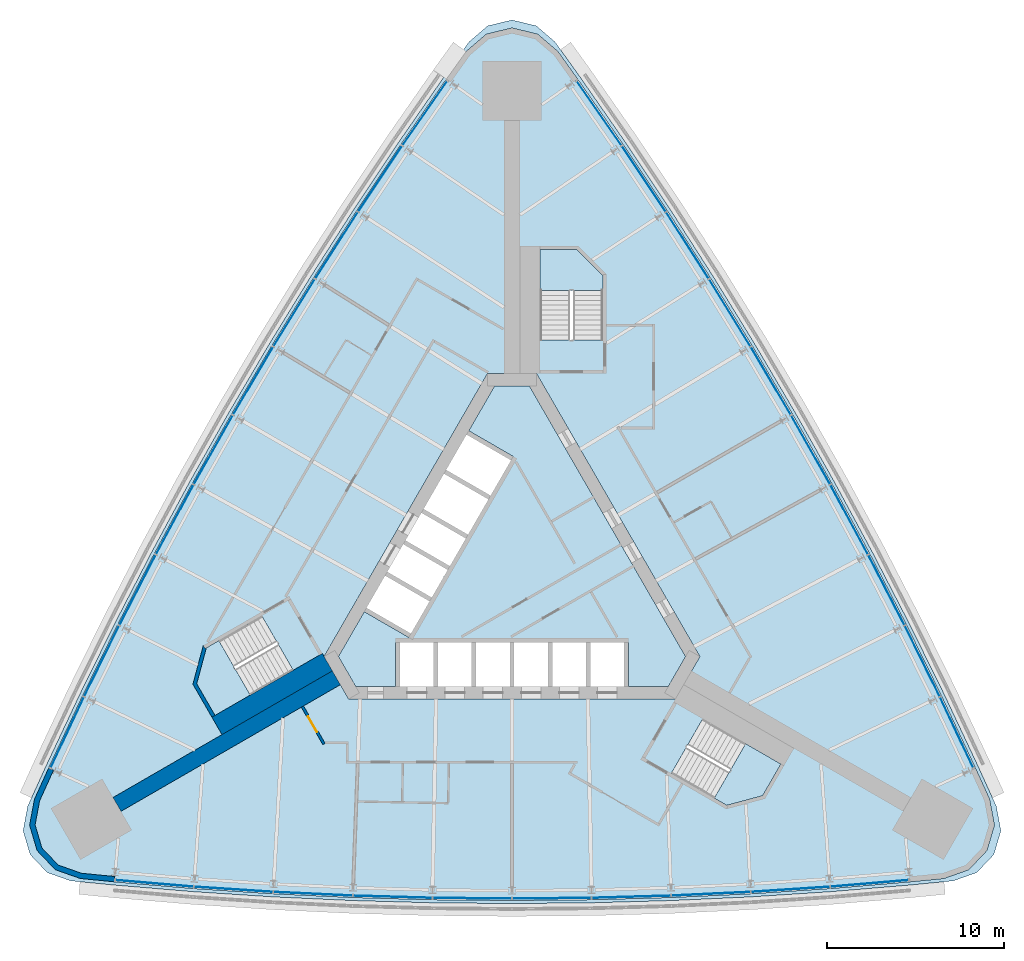
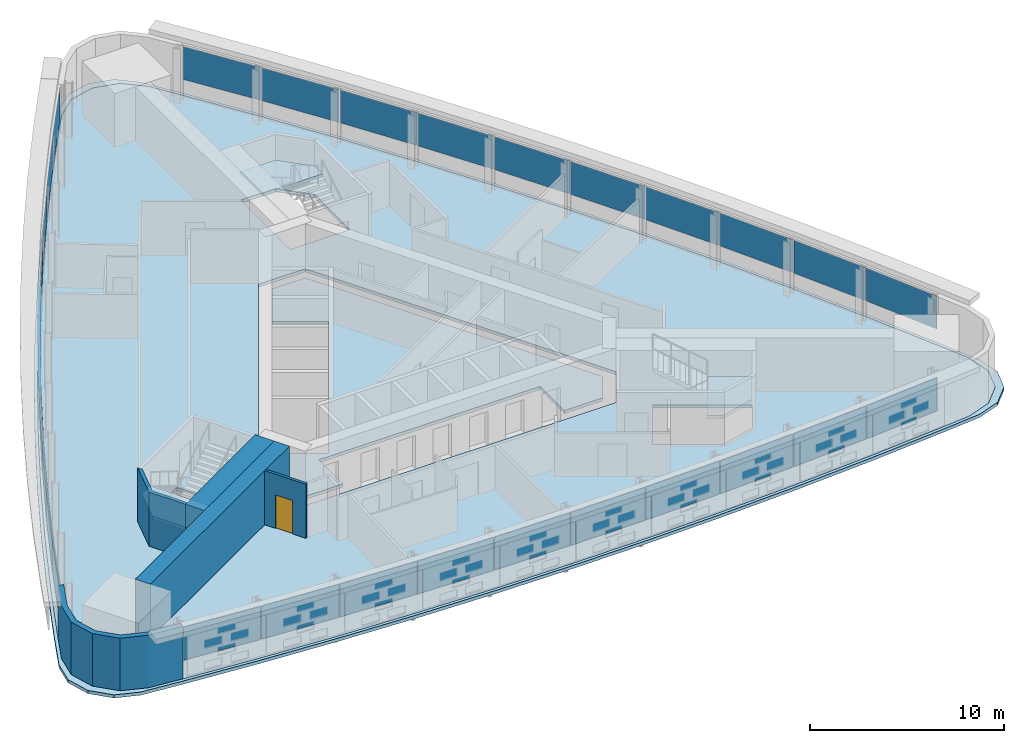
# One storey, part 9 of 14: 30 plates, 6 slabs, 5 walls, 1 door, 1 opening, 6 elements without a shape of their own.
"""IFC4 building model written with IfcOpenShell, lengths in metres."""

from ifc_helpers import new_model, si_unit, direction, frame, frame_2d, origin, origin_2d, place, context, subcontext, project, spatial, polyline, rectangle, outline, extrude, material, layer, layer_set, type_object, element, fill, aggregate, save


model = new_model("IFC4")

# Units and contexts
model_context = context("Model", 3, precision=1e-05, world=origin(), true_north=direction((0.0, 1.0)))
body_context = subcontext(model_context, "Body", "Model", "MODEL_VIEW")
ifc_project = project(units=[si_unit("LENGTHUNIT", "METRE"), si_unit("AREAUNIT", "SQUARE_METRE"), si_unit("VOLUMEUNIT", "CUBIC_METRE"), si_unit("PLANEANGLEUNIT", "RADIAN"), si_unit("MASSUNIT", "GRAM", prefix="KILO")], contexts=[model_context])

# Site, building, storey
site_placement = place(None, origin())
site = spatial("IfcSite", under=ifc_project, at=site_placement, CompositionType="ELEMENT")
building_placement = place(site_placement, origin())
building = spatial("IfcBuilding", under=site, at=building_placement, Name="Noor Cloister Tower", CompositionType="ELEMENT")
storey_placement = place(building_placement, frame((0.0, 0.0, 34.800048828125)))
storey = spatial("IfcBuildingStorey", under=building, at=storey_placement, Name="L08", CompositionType="ELEMENT", Elevation=34.800048828125)

# Slabs
ifc_material_1 = material(Name="Concrete C40/50", Category="concrete")
ifc_layer_1 = layer(ifc_material_1, 0.199951171875)
ifc_layer_set_1 = layer_set([ifc_layer_1], Name="Core floor slab 200 C40/50")
slab_type_1 = type_object("IfcSlabType", Name="Core floor slab 200 C40/50", PredefinedType="FLOOR", material=ifc_layer_set_1)
slab_1_placement = place(storey_placement, frame((0.0, 0.0, -0.199951171875)))
element("IfcSlab", 1, at=slab_1_placement, inside=storey, type_object=slab_type_1, Name="Core floor L08", PredefinedType="FLOOR", context=body_context, shape_type="SweptSolid", body=[
    extrude(outline(polyline([(-6.574951171875, -6.228271484375), (-6.574951171875, -3.728271484375), (6.574951171875, -3.728271484375), (6.574951171875, -6.228271484375), (8.82470703125, -6.228271484375), (9.80615234375, -4.5283203125), (0.9814453125, 10.75634765625), (-0.9814453125, 10.75634765625), (-2.44384765625, 8.2236328125), (0.067626953125, 6.773681640625), (-5.832275390625, -3.4453125), (-8.34375, -1.995361328125), (-9.80615234375, -4.5283203125), (-8.82470703125, -6.228271484375), (-6.574951171875, -6.228271484375)])), origin(), (0.0, 0.0, 1.0), 0.199951171875),
])
ifc_material_2 = material(Name="Concrete C40/50", Category="concrete")
ifc_layer_2 = layer(ifc_material_2, 0.199951171875)
ifc_layer_set_2 = layer_set([ifc_layer_2], Name="Floor slab 200 C40/50")
slab_type_2 = type_object("IfcSlabType", Name="Floor slab 200 C40/50", PredefinedType="FLOOR", material=ifc_layer_set_2)
slab_2_placement = place(storey_placement, frame((0.0, 0.0, -0.199951171875)))
element("IfcSlab", 2, at=slab_2_placement, inside=storey, type_object=slab_type_2, Name="Floor slab L08", PredefinedType="FLOOR", context=body_context, shape_type="SweptSolid", body=[
    extrude(outline(polyline([(2.58642578125, 29.65234375), (1.45263671875, 30.625244140625), (0.0, 30.975341796875), (-1.45263671875, 30.625244140625), (-2.58642578125, 29.65234375), (-3.708984375, 28.084228515625), (-6.279052734375, 24.390380859375), (-8.779296875, 20.64892578125), (-11.209228515625, 16.861572265625), (-13.56787109375, 13.029296875), (-15.854248046875, 9.1533203125), (-18.067626953125, 5.2353515625), (-20.207275390625, 1.27685546875), (-22.272216796875, -2.721435546875), (-24.26220703125, -6.75732421875), (-26.176025390625, -10.830078125), (-26.972900390625, -12.586181640625), (-27.24853515625, -14.0546875), (-26.825439453125, -15.487548828125), (-25.7958984375, -16.570556640625), (-24.386474609375, -17.066162109375), (-22.467041015625, -17.254150390625), (-17.983154296875, -17.633056640625), (-13.492919921875, -17.927734375), (-8.997802734375, -18.13818359375), (-4.499755859375, -18.2646484375), (0.0, -18.306884765625), (4.499755859375, -18.2646484375), (8.997802734375, -18.13818359375), (13.492919921875, -17.927734375), (17.983154296875, -17.633056640625), (22.467041015625, -17.254150390625), (24.386474609375, -17.066162109375), (25.7958984375, -16.570556640625), (26.825439453125, -15.487548828125), (27.24853515625, -14.0546875), (26.972900390625, -12.586181640625), (26.176025390625, -10.830078125), (24.26220703125, -6.75732421875), (22.272216796875, -2.721435546875), (20.207275390625, 1.27685546875), (18.067626953125, 5.2353515625), (15.854248046875, 9.1533203125), (13.56787109375, 13.029296875), (11.209228515625, 16.861572265625), (8.779296875, 20.64892578125), (6.279052734375, 24.390380859375), (3.708984375, 28.084228515625), (2.58642578125, 29.65234375)]), holes=[polyline([(8.999755859375, -11.126220703125), (12.131591796875, -12.934326171875), (14.1572265625, -12.3916015625), (15.19091796875, -10.601318359375), (10.774658203125, -8.0517578125), (8.999755859375, -11.126220703125)]), polyline([(-17.81005859375, -6.064697265625), (-16.776611328125, -7.85498046875), (-12.3603515625, -5.305419921875), (-14.13525390625, -2.23095703125), (-16.662841796875, -3.690185546875), (-17.267333984375, -4.039306640625), (-17.81005859375, -6.064697265625)]), polyline([(-10.6142578125, -4.5283203125), (-9.228759765625, -6.92822265625), (9.228759765625, -6.92822265625), (10.6142578125, -4.5283203125), (1.3857421875, 11.456298828125), (-1.3857421875, 11.456298828125), (-10.6142578125, -4.5283203125)]), polyline([(3.65283203125, 18.456298828125), (1.585693359375, 18.456298828125), (1.585693359375, 13.35693359375), (5.135498046875, 13.35693359375), (5.135498046875, 16.9736328125), (3.65283203125, 18.456298828125)])]), origin(), (0.0, 0.0, 1.0), 0.199951171875),
])

# Curtain wall, plates
ifc_material_3 = material(Name="Aluminium 6063-T6 anodised", Category="aluminium")
curtain_wall_type = type_object("IfcCurtainWallType", Name="Ribbon curtain wall, lower tower CW1", PredefinedType="NOTDEFINED", material=ifc_material_3)
curtain_wall_1_placement = place(storey_placement, origin())
curtain_wall_1 = element("IfcCurtainWall", 3, at=curtain_wall_1_placement, inside=storey, type_object=curtain_wall_type, Name="CW1 L08 NW run 1", PredefinedType="NOTDEFINED")
ifc_material_4 = material(Name="Clear laminated glass 2 x 8 mm", Category="glass")
ifc_layer_3 = layer(ifc_material_4, 0.028076171875)
ifc_layer_set_3 = layer_set([ifc_layer_3], Name="Glass panel CW1")
plate_type = type_object("IfcPlateType", Name="Glass panel CW1", PredefinedType="CURTAIN_PANEL", material=ifc_layer_set_3)
plate_1_placement = place(storey_placement, frame((-4.923095703125, 26.1640625, 1.08984375), z_axis=(0.0, 0.0, 1.0), x_axis=(-0.571122109742, -0.820865114232, 0.0)))
plate_1 = element("IfcPlate", 4, at=plate_1_placement, type_object=plate_type, Name="CW1 glass panel 1", PredefinedType="CURTAIN_PANEL", context=body_context, shape_type="SweptSolid", body=[
    extrude(rectangle(XDim=4.39892578125, YDim=0.028076171875, at=origin_2d()), origin(), (0.0, 0.0, 1.0), 2.070068359375),
])
plate_2_placement = place(storey_placement, frame((-7.446044921875, 22.464111328125, 1.08984375), z_axis=(0.0, 0.0, 1.0), x_axis=(-0.555650176411, -0.831416190277, 0.0)))
plate_2 = element("IfcPlate", 5, at=plate_2_placement, type_object=plate_type, Name="CW1 glass panel 2", PredefinedType="CURTAIN_PANEL", context=body_context, shape_type="SweptSolid", body=[
    extrude(rectangle(XDim=4.43798828125, YDim=0.028076171875, at=origin_2d()), origin(), (0.0, 0.0, 1.0), 2.070068359375),
])
plate_3_placement = place(storey_placement, frame((-9.91015625, 18.701171875, 1.08984375), z_axis=(0.0, 0.0, 1.0), x_axis=(-0.53998335858, -0.84167569316, 0.0)))
plate_3 = element("IfcPlate", 6, at=plate_3_placement, type_object=plate_type, Name="CW1 glass panel 3", PredefinedType="CURTAIN_PANEL", context=body_context, shape_type="SweptSolid", body=[
    extrude(rectangle(XDim=4.43798828125, YDim=0.028076171875, at=origin_2d()), origin(), (0.0, 0.0, 1.0), 2.070068359375),
])
plate_4_placement = place(storey_placement, frame((-12.303466796875, 14.89306640625, 1.08984375), z_axis=(0.0, 0.0, 1.0), x_axis=(-0.524127179896, -0.851640005691, 0.0)))
plate_4 = element("IfcPlate", 7, at=plate_4_placement, type_object=plate_type, Name="CW1 glass panel 4", PredefinedType="CURTAIN_PANEL", context=body_context, shape_type="SweptSolid", body=[
    extrude(rectangle(XDim=4.43798828125, YDim=0.028076171875, at=origin_2d()), origin(), (0.0, 0.0, 1.0), 2.070068359375),
])
plate_5_placement = place(storey_placement, frame((-14.624755859375, 11.04052734375, 1.08984375), z_axis=(0.0, 0.0, 1.0), x_axis=(-0.508087171671, -0.861305651893, 0.0)))
plate_5 = element("IfcPlate", 8, at=plate_5_placement, type_object=plate_type, Name="CW1 glass panel 5", PredefinedType="CURTAIN_PANEL", context=body_context, shape_type="SweptSolid", body=[
    extrude(rectangle(XDim=4.43798828125, YDim=0.028076171875, at=origin_2d()), origin(), (0.0, 0.0, 1.0), 2.070068359375),
])
plate_6_placement = place(storey_placement, frame((-16.873779296875, 7.145263671875, 1.08984375), z_axis=(0.0, 0.0, 1.0), x_axis=(-0.491868989127, -0.870669223951, 0.0)))
plate_6 = element("IfcPlate", 9, at=plate_6_placement, type_object=plate_type, Name="CW1 glass panel 6", PredefinedType="CURTAIN_PANEL", context=body_context, shape_type="SweptSolid", body=[
    extrude(rectangle(XDim=4.43798828125, YDim=0.028076171875, at=origin_2d()), origin(), (0.0, 0.0, 1.0), 2.070068359375),
])
plate_7_placement = place(storey_placement, frame((-19.04931640625, 3.20849609375, 1.08984375), z_axis=(0.0, 0.0, 1.0), x_axis=(-0.47547828986, -0.87972745545, 0.0)))
plate_7 = element("IfcPlate", 10, at=plate_7_placement, type_object=plate_type, Name="CW1 glass panel 7", PredefinedType="CURTAIN_PANEL", context=body_context, shape_type="SweptSolid", body=[
    extrude(rectangle(XDim=4.43798828125, YDim=0.028076171875, at=origin_2d()), origin(), (0.0, 0.0, 1.0), 2.070068359375),
])
plate_8_placement = place(storey_placement, frame((-21.15087890625, -0.768310546875, 1.08984375), z_axis=(0.0, 0.0, 1.0), x_axis=(-0.458920852734, -0.888477152731, 0.0)))
plate_8 = element("IfcPlate", 11, at=plate_8_placement, type_object=plate_type, Name="CW1 glass panel 8", PredefinedType="CURTAIN_PANEL", context=body_context, shape_type="SweptSolid", body=[
    extrude(rectangle(XDim=4.43798828125, YDim=0.028076171875, at=origin_2d()), origin(), (0.0, 0.0, 1.0), 2.070068359375),
])
plate_9_placement = place(storey_placement, frame((-23.177490234375, -4.78369140625, 1.08984375), z_axis=(0.0, 0.0, 1.0), x_axis=(-0.442202453692, -0.896915263528, 0.0)))
plate_9 = element("IfcPlate", 12, at=plate_9_placement, type_object=plate_type, Name="CW1 glass panel 9", PredefinedType="CURTAIN_PANEL", context=body_context, shape_type="SweptSolid", body=[
    extrude(rectangle(XDim=4.43798828125, YDim=0.028076171875, at=origin_2d()), origin(), (0.0, 0.0, 1.0), 2.070068359375),
])
plate_10_placement = place(storey_placement, frame((-25.120361328125, -8.818603515625, 1.08984375), z_axis=(0.0, 0.0, 1.0), x_axis=(-0.425328987134, -0.905038812816, 0.0)))
plate_10 = element("IfcPlate", 13, at=plate_10_placement, type_object=plate_type, Name="CW1 glass panel 10", PredefinedType="CURTAIN_PANEL", context=body_context, shape_type="SweptSolid", body=[
    extrude(rectangle(XDim=4.39892578125, YDim=0.028076171875, at=origin_2d()), origin(), (0.0, 0.0, 1.0), 2.070068359375),
])
aggregate(curtain_wall_1, [plate_1, plate_2, plate_3, plate_4, plate_5, plate_6, plate_7, plate_8, plate_9, plate_10])

curtain_wall_2_placement = place(storey_placement, origin())
curtain_wall_2 = element("IfcCurtainWall", 14, at=curtain_wall_2_placement, inside=storey, type_object=curtain_wall_type, Name="CW1 L08 S run 2", PredefinedType="NOTDEFINED")
plate_11_placement = place(storey_placement, frame((-20.197265625, -17.345458984375, 1.08984375), z_axis=(0.0, 0.0, 1.0), x_axis=(0.996451096877, -0.084173698584, 0.0)))
plate_11 = element("IfcPlate", 15, at=plate_11_placement, type_object=plate_type, Name="CW1 glass panel 1", PredefinedType="CURTAIN_PANEL", context=body_context, shape_type="SweptSolid", body=[
    extrude(rectangle(XDim=4.39892578125, YDim=0.028076171875, at=origin_2d()), origin(), (0.0, 0.0, 1.0), 2.070068359375),
])
plate_12_placement = place(storey_placement, frame((-15.7314453125, -17.680419921875, 1.08984375), z_axis=(0.0, 0.0, 1.0), x_axis=(0.997852630103, -0.065499073251, 0.0)))
plate_12 = element("IfcPlate", 16, at=plate_12_placement, type_object=plate_type, Name="CW1 glass panel 2", PredefinedType="CURTAIN_PANEL", context=body_context, shape_type="SweptSolid", body=[
    extrude(rectangle(XDim=4.43798828125, YDim=0.028076171875, at=origin_2d()), origin(), (0.0, 0.0, 1.0), 2.070068359375),
])
plate_13_placement = place(storey_placement, frame((-11.24072265625, -17.93310546875, 1.08984375), z_axis=(0.0, 0.0, 1.0), x_axis=(0.998904211315, -0.046801459571, 0.0)))
plate_13 = element("IfcPlate", 17, at=plate_13_placement, type_object=plate_type, Name="CW1 glass panel 3", PredefinedType="CURTAIN_PANEL", context=body_context, shape_type="SweptSolid", body=[
    extrude(rectangle(XDim=4.43798828125, YDim=0.028076171875, at=origin_2d()), origin(), (0.0, 0.0, 1.0), 2.070068359375),
])
plate_14_placement = place(storey_placement, frame((-6.74609375, -18.1015625, 1.08984375), z_axis=(0.0, 0.0, 1.0), x_axis=(0.999605469756, -0.028087449758, 0.0)))
plate_14 = element("IfcPlate", 18, at=plate_14_placement, type_object=plate_type, Name="CW1 glass panel 4", PredefinedType="CURTAIN_PANEL", context=body_context, shape_type="SweptSolid", body=[
    extrude(rectangle(XDim=4.43798828125, YDim=0.028076171875, at=origin_2d()), origin(), (0.0, 0.0, 1.0), 2.070068359375),
])
plate_15_placement = place(storey_placement, frame((-2.2490234375, -18.185791015625, 1.08984375), z_axis=(0.0, 0.0, 1.0), x_axis=(0.999956160798, -0.009363572057, 0.0)))
plate_15 = element("IfcPlate", 19, at=plate_15_placement, type_object=plate_type, Name="CW1 glass panel 5", PredefinedType="CURTAIN_PANEL", context=body_context, shape_type="SweptSolid", body=[
    extrude(rectangle(XDim=4.43798828125, YDim=0.028076171875, at=origin_2d()), origin(), (0.0, 0.0, 1.0), 2.070068359375),
])
plate_16_placement = place(storey_placement, frame((2.2490234375, -18.185791015625, 1.08984375), z_axis=(0.0, 0.0, 1.0), x_axis=(0.999956160798, 0.009363572057, 0.0)))
plate_16 = element("IfcPlate", 20, at=plate_16_placement, type_object=plate_type, Name="CW1 glass panel 6", PredefinedType="CURTAIN_PANEL", context=body_context, shape_type="SweptSolid", body=[
    extrude(rectangle(XDim=4.43798828125, YDim=0.028076171875, at=origin_2d()), origin(), (0.0, 0.0, 1.0), 2.070068359375),
])
plate_17_placement = place(storey_placement, frame((6.74609375, -18.1015625, 1.08984375), z_axis=(0.0, 0.0, 1.0), x_axis=(0.999605469756, 0.028087449758, 0.0)))
plate_17 = element("IfcPlate", 21, at=plate_17_placement, type_object=plate_type, Name="CW1 glass panel 7", PredefinedType="CURTAIN_PANEL", context=body_context, shape_type="SweptSolid", body=[
    extrude(rectangle(XDim=4.43798828125, YDim=0.028076171875, at=origin_2d()), origin(), (0.0, 0.0, 1.0), 2.070068359375),
])
plate_18_placement = place(storey_placement, frame((11.24072265625, -17.93310546875, 1.08984375), z_axis=(0.0, 0.0, 1.0), x_axis=(0.998904211315, 0.046801459571, 0.0)))
plate_18 = element("IfcPlate", 22, at=plate_18_placement, type_object=plate_type, Name="CW1 glass panel 8", PredefinedType="CURTAIN_PANEL", context=body_context, shape_type="SweptSolid", body=[
    extrude(rectangle(XDim=4.43798828125, YDim=0.028076171875, at=origin_2d()), origin(), (0.0, 0.0, 1.0), 2.070068359375),
])
plate_19_placement = place(storey_placement, frame((15.7314453125, -17.680419921875, 1.08984375), z_axis=(0.0, 0.0, 1.0), x_axis=(0.997852630103, 0.065499073251, 0.0)))
plate_19 = element("IfcPlate", 23, at=plate_19_placement, type_object=plate_type, Name="CW1 glass panel 9", PredefinedType="CURTAIN_PANEL", context=body_context, shape_type="SweptSolid", body=[
    extrude(rectangle(XDim=4.43798828125, YDim=0.028076171875, at=origin_2d()), origin(), (0.0, 0.0, 1.0), 2.070068359375),
])
plate_20_placement = place(storey_placement, frame((20.197265625, -17.345458984375, 1.08984375), z_axis=(0.0, 0.0, 1.0), x_axis=(0.996451096877, 0.084173698584, 0.0)))
plate_20 = element("IfcPlate", 24, at=plate_20_placement, type_object=plate_type, Name="CW1 glass panel 10", PredefinedType="CURTAIN_PANEL", context=body_context, shape_type="SweptSolid", body=[
    extrude(rectangle(XDim=4.39892578125, YDim=0.028076171875, at=origin_2d()), origin(), (0.0, 0.0, 1.0), 2.070068359375),
])
aggregate(curtain_wall_2, [plate_11, plate_12, plate_13, plate_14, plate_15, plate_16, plate_17, plate_18, plate_19, plate_20])

curtain_wall_3_placement = place(storey_placement, origin())
curtain_wall_3 = element("IfcCurtainWall", 25, at=curtain_wall_3_placement, inside=storey, type_object=curtain_wall_type, Name="CW1 L08 NE run 3", PredefinedType="NOTDEFINED")
plate_21_placement = place(storey_placement, frame((25.120361328125, -8.818603515625, 1.08984375), z_axis=(0.0, 0.0, 1.0), x_axis=(-0.425328987134, 0.905038812816, 0.0)))
plate_21 = element("IfcPlate", 26, at=plate_21_placement, type_object=plate_type, Name="CW1 glass panel 1", PredefinedType="CURTAIN_PANEL", context=body_context, shape_type="SweptSolid", body=[
    extrude(rectangle(XDim=4.39892578125, YDim=0.028076171875, at=origin_2d()), origin(), (0.0, 0.0, 1.0), 2.070068359375),
])
plate_22_placement = place(storey_placement, frame((23.177490234375, -4.78369140625, 1.08984375), z_axis=(0.0, 0.0, 1.0), x_axis=(-0.442202453692, 0.896915263528, 0.0)))
plate_22 = element("IfcPlate", 27, at=plate_22_placement, type_object=plate_type, Name="CW1 glass panel 2", PredefinedType="CURTAIN_PANEL", context=body_context, shape_type="SweptSolid", body=[
    extrude(rectangle(XDim=4.43798828125, YDim=0.028076171875, at=origin_2d()), origin(), (0.0, 0.0, 1.0), 2.070068359375),
])
plate_23_placement = place(storey_placement, frame((21.15087890625, -0.768310546875, 1.08984375), z_axis=(0.0, 0.0, 1.0), x_axis=(-0.458920852734, 0.888477152731, 0.0)))
plate_23 = element("IfcPlate", 28, at=plate_23_placement, type_object=plate_type, Name="CW1 glass panel 3", PredefinedType="CURTAIN_PANEL", context=body_context, shape_type="SweptSolid", body=[
    extrude(rectangle(XDim=4.43798828125, YDim=0.028076171875, at=origin_2d()), origin(), (0.0, 0.0, 1.0), 2.070068359375),
])
plate_24_placement = place(storey_placement, frame((19.04931640625, 3.20849609375, 1.08984375), z_axis=(0.0, 0.0, 1.0), x_axis=(-0.47547828986, 0.87972745545, 0.0)))
plate_24 = element("IfcPlate", 29, at=plate_24_placement, type_object=plate_type, Name="CW1 glass panel 4", PredefinedType="CURTAIN_PANEL", context=body_context, shape_type="SweptSolid", body=[
    extrude(rectangle(XDim=4.43798828125, YDim=0.028076171875, at=origin_2d()), origin(), (0.0, 0.0, 1.0), 2.070068359375),
])
plate_25_placement = place(storey_placement, frame((16.873779296875, 7.145263671875, 1.08984375), z_axis=(0.0, 0.0, 1.0), x_axis=(-0.491868989127, 0.870669223951, 0.0)))
plate_25 = element("IfcPlate", 30, at=plate_25_placement, type_object=plate_type, Name="CW1 glass panel 5", PredefinedType="CURTAIN_PANEL", context=body_context, shape_type="SweptSolid", body=[
    extrude(rectangle(XDim=4.43798828125, YDim=0.028076171875, at=origin_2d()), origin(), (0.0, 0.0, 1.0), 2.070068359375),
])
plate_26_placement = place(storey_placement, frame((14.624755859375, 11.04052734375, 1.08984375), z_axis=(0.0, 0.0, 1.0), x_axis=(-0.508087171671, 0.861305651893, 0.0)))
plate_26 = element("IfcPlate", 31, at=plate_26_placement, type_object=plate_type, Name="CW1 glass panel 6", PredefinedType="CURTAIN_PANEL", context=body_context, shape_type="SweptSolid", body=[
    extrude(rectangle(XDim=4.43798828125, YDim=0.028076171875, at=origin_2d()), origin(), (0.0, 0.0, 1.0), 2.070068359375),
])
plate_27_placement = place(storey_placement, frame((12.303466796875, 14.89306640625, 1.08984375), z_axis=(0.0, 0.0, 1.0), x_axis=(-0.524127179896, 0.851640005691, 0.0)))
plate_27 = element("IfcPlate", 32, at=plate_27_placement, type_object=plate_type, Name="CW1 glass panel 7", PredefinedType="CURTAIN_PANEL", context=body_context, shape_type="SweptSolid", body=[
    extrude(rectangle(XDim=4.43798828125, YDim=0.028076171875, at=origin_2d()), origin(), (0.0, 0.0, 1.0), 2.070068359375),
])
plate_28_placement = place(storey_placement, frame((9.91015625, 18.701171875, 1.08984375), z_axis=(0.0, 0.0, 1.0), x_axis=(-0.53998335858, 0.84167569316, 0.0)))
plate_28 = element("IfcPlate", 33, at=plate_28_placement, type_object=plate_type, Name="CW1 glass panel 8", PredefinedType="CURTAIN_PANEL", context=body_context, shape_type="SweptSolid", body=[
    extrude(rectangle(XDim=4.43798828125, YDim=0.028076171875, at=origin_2d()), origin(), (0.0, 0.0, 1.0), 2.070068359375),
])
plate_29_placement = place(storey_placement, frame((7.446044921875, 22.464111328125, 1.08984375), z_axis=(0.0, 0.0, 1.0), x_axis=(-0.555650176411, 0.831416190277, 0.0)))
plate_29 = element("IfcPlate", 34, at=plate_29_placement, type_object=plate_type, Name="CW1 glass panel 9", PredefinedType="CURTAIN_PANEL", context=body_context, shape_type="SweptSolid", body=[
    extrude(rectangle(XDim=4.43798828125, YDim=0.028076171875, at=origin_2d()), origin(), (0.0, 0.0, 1.0), 2.070068359375),
])
plate_30_placement = place(storey_placement, frame((4.923095703125, 26.1640625, 1.08984375), z_axis=(0.0, 0.0, 1.0), x_axis=(-0.571122109742, 0.820865114232, 0.0)))
plate_30 = element("IfcPlate", 35, at=plate_30_placement, type_object=plate_type, Name="CW1 glass panel 10", PredefinedType="CURTAIN_PANEL", context=body_context, shape_type="SweptSolid", body=[
    extrude(rectangle(XDim=4.39892578125, YDim=0.028076171875, at=origin_2d()), origin(), (0.0, 0.0, 1.0), 2.070068359375),
])
aggregate(curtain_wall_3, [plate_21, plate_22, plate_23, plate_24, plate_25, plate_26, plate_27, plate_28, plate_29, plate_30])

# Slab
ifc_material_5 = material(Name="Concrete C40/50", Category="concrete")
ifc_layer_4 = layer(ifc_material_5, 0.199951171875)
ifc_layer_set_4 = layer_set([ifc_layer_4], Name="Ledge roof 200 C40/50")
slab_type_3 = type_object("IfcSlabType", Name="Ledge roof 200 C40/50", PredefinedType="ROOF", material=ifc_layer_set_4)
slab_3_placement = place(storey_placement, frame((0.0, 0.0, -0.199951171875)))
element("IfcSlab", 36, at=slab_3_placement, inside=storey, type_object=slab_type_3, Name="Ledge roof L08", PredefinedType="ROOF", context=body_context, shape_type="SweptSolid", body=[
    extrude(outline(polyline([(3.869873046875, 28.177734375), (2.43017578125, 30.188232421875), (1.3642578125, 31.100830078125), (0.0, 31.428955078125), (-1.3642578125, 31.100830078125), (-2.43017578125, 30.188232421875), (-3.869873046875, 28.177734375), (-6.43701171875, 24.48193359375), (-8.93505859375, 20.739013671875), (-11.36328125, 16.950439453125), (-13.720947265625, 13.11767578125), (-16.0068359375, 9.24169921875), (-18.220703125, 5.32373046875), (-20.361328125, 1.36572265625), (-22.42822265625, -2.631591796875), (-24.42041015625, -6.66650390625), (-26.337646484375, -10.737548828125), (-27.35888671875, -12.989501953125), (-27.6162109375, -14.368896484375), (-27.21826171875, -15.714599609375), (-26.251953125, -16.73193359375), (-24.9287109375, -17.19873046875), (-22.4677734375, -17.440185546875), (-17.9833984375, -17.8154296875), (-13.492919921875, -18.107421875), (-8.998046875, -18.316162109375), (-4.499755859375, -18.44140625), (0.0, -18.483154296875), (4.499755859375, -18.44140625), (8.998046875, -18.316162109375), (13.492919921875, -18.107421875), (17.9833984375, -17.8154296875), (22.4677734375, -17.440185546875), (24.9287109375, -17.19873046875), (26.251953125, -16.73193359375), (27.21826171875, -15.714599609375), (27.6162109375, -14.368896484375), (27.35888671875, -12.989501953125), (26.337646484375, -10.737548828125), (24.42041015625, -6.66650390625), (22.42822265625, -2.631591796875), (20.361328125, 1.36572265625), (18.220703125, 5.32373046875), (16.0068359375, 9.24169921875), (13.720947265625, 13.11767578125), (11.36328125, 16.950439453125), (8.93505859375, 20.739013671875), (6.43701171875, 24.48193359375), (3.869873046875, 28.177734375)]), holes=[polyline([(0.0, 30.975341796875), (-1.45263671875, 30.625244140625), (-2.58642578125, 29.65234375), (-3.708984375, 28.084228515625), (-6.279052734375, 24.390380859375), (-8.779296875, 20.64892578125), (-11.209228515625, 16.861572265625), (-13.56787109375, 13.029296875), (-15.854248046875, 9.1533203125), (-18.067626953125, 5.2353515625), (-20.207275390625, 1.27685546875), (-22.272216796875, -2.721435546875), (-24.26220703125, -6.75732421875), (-26.176025390625, -10.830078125), (-26.972900390625, -12.586181640625), (-27.24853515625, -14.0546875), (-26.825439453125, -15.487548828125), (-25.7958984375, -16.570556640625), (-24.386474609375, -17.066162109375), (-22.467041015625, -17.254150390625), (-17.983154296875, -17.633056640625), (-13.492919921875, -17.927734375), (-8.997802734375, -18.13818359375), (-4.499755859375, -18.2646484375), (0.0, -18.306884765625), (4.499755859375, -18.2646484375), (8.997802734375, -18.13818359375), (13.492919921875, -17.927734375), (17.983154296875, -17.633056640625), (22.467041015625, -17.254150390625), (24.386474609375, -17.066162109375), (25.7958984375, -16.570556640625), (26.825439453125, -15.487548828125), (27.24853515625, -14.0546875), (26.972900390625, -12.586181640625), (26.176025390625, -10.830078125), (24.26220703125, -6.75732421875), (22.272216796875, -2.721435546875), (20.207275390625, 1.27685546875), (18.067626953125, 5.2353515625), (15.854248046875, 9.1533203125), (13.56787109375, 13.029296875), (11.209228515625, 16.861572265625), (8.779296875, 20.64892578125), (6.279052734375, 24.390380859375), (3.708984375, 28.084228515625), (2.58642578125, 29.65234375), (1.45263671875, 30.625244140625), (0.0, 30.975341796875)])]), origin(), (0.0, 0.0, 1.0), 0.199951171875),
])

# Stair, slab
ifc_material_6 = material(Name="Concrete C40/50", Category="concrete")
stair_type = type_object("IfcStairType", Name="Exit stair 22 risers", PredefinedType="HALF_TURN_STAIR", material=ifc_material_6)
stair_1_placement = place(storey_placement, origin())
stair_1 = element("IfcStair", 37, at=stair_1_placement, inside=storey, type_object=stair_type, Name="Exit stair ST1 L08", PredefinedType="HALF_TURN_STAIR")
ifc_material_7 = material(Name="Concrete C40/50", Category="concrete")
ifc_layer_5 = layer(ifc_material_7, 0.199951171875)
ifc_layer_set_5 = layer_set([ifc_layer_5], Name="Stair landing 200 C40/50")
slab_type_4 = type_object("IfcSlabType", Name="Stair landing 200 C40/50", PredefinedType="LANDING", material=ifc_layer_set_5)
slab_4_placement = place(storey_placement, frame((0.0, 0.0, 1.599853515625)))
slab_4 = element("IfcSlab", 38, at=slab_4_placement, type_object=slab_type_4, Name="ST1 landing 1", PredefinedType="LANDING", context=body_context, shape_type="SweptSolid", body=[
    extrude(outline(polyline([(5.135498046875, 16.15576171875), (5.135498046875, 16.9736328125), (3.65283203125, 18.456298828125), (1.585693359375, 18.456298828125), (1.585693359375, 16.15576171875), (5.135498046875, 16.15576171875)])), origin(), (0.0, 0.0, 1.0), 0.2001953125),
])
aggregate(stair_1, [slab_4])

stair_2_placement = place(storey_placement, origin())
stair_2 = element("IfcStair", 39, at=stair_2_placement, inside=storey, type_object=stair_type, Name="Exit stair ST2 L08", PredefinedType="HALF_TURN_STAIR")
slab_5_placement = place(storey_placement, frame((0.0, 0.0, 1.599853515625)))
slab_5 = element("IfcSlab", 40, at=slab_5_placement, type_object=slab_type_4, Name="ST2 landing 1", PredefinedType="LANDING", context=body_context, shape_type="SweptSolid", body=[
    extrude(outline(polyline([(-16.55908203125, -3.63037109375), (-17.267333984375, -4.039306640625), (-17.81005859375, -6.064697265625), (-16.776611328125, -7.85498046875), (-14.7841796875, -6.70458984375), (-16.55908203125, -3.63037109375)])), origin(), (0.0, 0.0, 1.0), 0.2001953125),
])
aggregate(stair_2, [slab_5])

stair_3_placement = place(storey_placement, origin())
stair_3 = element("IfcStair", 41, at=stair_3_placement, inside=storey, type_object=stair_type, Name="Exit stair ST3 L08", PredefinedType="HALF_TURN_STAIR")
slab_6_placement = place(storey_placement, frame((0.0, 0.0, 1.599853515625)))
slab_6 = element("IfcSlab", 42, at=slab_6_placement, type_object=slab_type_4, Name="ST3 landing 1", PredefinedType="LANDING", context=body_context, shape_type="SweptSolid", body=[
    extrude(outline(polyline([(11.423583984375, -12.525390625), (12.131591796875, -12.934326171875), (14.1572265625, -12.3916015625), (15.19091796875, -10.601318359375), (13.198486328125, -9.451171875), (11.423583984375, -12.525390625)])), origin(), (0.0, 0.0, 1.0), 0.2001953125),
])
aggregate(stair_3, [slab_6])

# Wall
ifc_material_8 = material(Name="Concrete C80/95", Category="concrete")
ifc_layer_6 = layer(ifc_material_8, 0.89990234375)
ifc_layer_set_6 = layer_set([ifc_layer_6], Name="Buttress wall 900 C80/95")
wall_type_1 = type_object("IfcWallType", Name="Buttress wall 900 C80/95", PredefinedType="SHEAR", material=ifc_layer_set_6)
wall_1_placement = place(storey_placement, frame((-9.921630859375, -5.728271484375, -0.199951171875), z_axis=(0.0, 0.0, 1.0), x_axis=(-0.866025331845, -0.500000124603, 0.0)))
element("IfcWall", 43, at=wall_1_placement, inside=storey, type_object=wall_type_1, Name="Buttress wall SW L08", PredefinedType="SHEAR", context=body_context, shape_type="SweptSolid", body=[
    extrude(rectangle(XDim=14.30859375, YDim=0.89990234375, at=frame_2d((7.154296875, 0.0))), origin(), (0.0, 0.0, 1.0), 3.599853515625),
])

# Wall, opening, door
ifc_material_9 = material(Name="Gypsum board partition on steel studs, 150 mm", Category="steel")
ifc_layer_7 = layer(ifc_material_9, 0.14990234375)
ifc_layer_set_7 = layer_set([ifc_layer_7], Name="Flat wall 150")
wall_type_2 = type_object("IfcWallType", Name="Flat wall 150", PredefinedType="PARTITIONING", material=ifc_layer_set_7)
wall_2_placement = place(storey_placement, frame((-10.6201171875, -9.46826171875, 0.0), z_axis=(0.0, 0.0, 1.0), x_axis=(-0.500045838785, 0.865998937132, 0.0)))
wall_2 = element("IfcWall", 44, at=wall_2_placement, inside=storey, type_object=wall_type_2, Name="Flat wall 150 L08 011", PredefinedType="PARTITIONING", context=body_context, shape_type="SweptSolid", body=[
    extrude(rectangle(XDim=2.439697265625, YDim=0.14990234375, at=frame_2d((1.2197265625, 0.0))), origin(), (0.0, 0.0, 1.0), 3.39990234375),
])
opening_placement = place(wall_2_placement, frame((0.794921875, 0.0, 0.0)))
opening = element("IfcOpeningElement", 45, at=opening_placement, cuts=wall_2, Name="Opening L08-012", PredefinedType="OPENING", context=body_context, shape_type="SweptSolid", body=[
    extrude(rectangle(XDim=1.0, YDim=2.10009765625, at=frame_2d((0.5, 1.050048828125))), frame((0.0, 0.0849609375, 0.0), z_axis=(0.0, -1.0, 0.0), x_axis=(1.0, 0.0, 0.0)), (0.0, 0.0, 1.0), 0.169921875),
])
ifc_material_10 = material(Name="Timber door leaf with steel frame", Category="steel")
door_type = type_object("IfcDoorType", Name="Interior door 1000 FD60", OperationType="NOTDEFINED", PredefinedType="DOOR", material=ifc_material_10)
door_placement = place(opening_placement, origin())
door = element("IfcDoor", 46, at=door_placement, inside=storey, type_object=door_type, Name="Interior door 1000 L08-012", OperationType="SINGLE_SWING_RIGHT", OverallHeight=2.10009765625, OverallWidth=1.0, PredefinedType="DOOR", context=body_context, shape_type="SweptSolid", body=[
    extrude(rectangle(XDim=1.0, YDim=2.10009765625, at=frame_2d((0.5, 1.050048828125))), frame((0.0, 0.02490234375, 0.0), z_axis=(0.0, -1.0, 0.0), x_axis=(1.0, 0.0, 0.0)), (0.0, 0.0, 1.0), 0.050048828125),
])
fill(opening, door)

# Walls
ifc_material_11 = material(Name="Limestone", Category="masonry")
ifc_layer_8 = layer(ifc_material_11, 0.300048828125)
ifc_layer_set_8 = layer_set([ifc_layer_8], Name="Limestone cladding 300")
wall_type_3 = type_object("IfcWallType", Name="Limestone cladding 300", PredefinedType="NOTDEFINED", material=ifc_layer_set_8)
wall_3_placement = place(storey_placement, origin())
element("IfcWall", 47, at=wall_3_placement, inside=storey, type_object=wall_type_3, Name="Limestone pier cladding L08 1.1", PredefinedType="NOTDEFINED", context=body_context, shape_type="SweptSolid", body=[
    extrude(outline(polyline([(-26.176025390625, -10.830078125), (-26.972900390625, -12.586181640625), (-27.24853515625, -14.0546875), (-26.825439453125, -15.487548828125), (-25.7958984375, -16.570556640625), (-24.386474609375, -17.066162109375), (-22.467041015625, -17.254150390625), (-22.43798828125, -16.95556640625), (-24.321044921875, -16.77099609375), (-25.62841796875, -16.3115234375), (-26.55810546875, -15.333251953125), (-26.9404296875, -14.0390625), (-26.684814453125, -12.67724609375), (-25.90283203125, -10.9541015625), (-26.176025390625, -10.830078125)])), origin(), (0.0, 0.0, 1.0), 3.300048828125),
])
ifc_material_12 = material(Name="Concrete C80/95", Category="concrete")
ifc_layer_9 = layer(ifc_material_12, 1.135986328125)
ifc_layer_set_9 = layer_set([ifc_layer_9], Name="Stair enclosure wall 1136 C80/95")
wall_type_4 = type_object("IfcWallType", Name="Stair enclosure wall 1136 C80/95", PredefinedType="SHEAR", material=ifc_layer_set_9)
wall_4_placement = place(storey_placement, frame((-10.430419921875, -4.8466796875, -0.199951171875), z_axis=(0.0, 0.0, 1.0), x_axis=(-0.866018442252, -0.500012057535, 0.0)))
element("IfcWall", 48, at=wall_4_placement, inside=storey, type_object=wall_type_4, Name="Stair enclosure wall ST2 L08 riser side", PredefinedType="SHEAR", context=body_context, shape_type="SweptSolid", body=[
    extrude(rectangle(XDim=7.199951171875, YDim=1.1357421875, at=frame_2d((3.60009765625, 0.0))), origin(), (0.0, 0.0, 1.0), 3.599853515625),
])
ifc_material_13 = material(Name="Concrete C80/95", Category="concrete")
wall_type_5 = type_object("IfcWallType", Name="Stair far end wall C80/95", PredefinedType="SHEAR", material=ifc_material_13)
wall_5_placement = place(storey_placement, frame((0.0, 0.0, -0.199951171875)))
element("IfcWall", 49, at=wall_5_placement, inside=storey, type_object=wall_type_5, Name="Stair enclosure wall ST2 L08 far end", PredefinedType="SHEAR", context=body_context, shape_type="SweptSolid", body=[
    extrude(outline(polyline([(-17.439208984375, -3.907470703125), (-18.024658203125, -6.093017578125), (-16.94970703125, -7.955078125), (-16.776611328125, -7.85498046875), (-17.81005859375, -6.064697265625), (-17.267333984375, -4.039306640625), (-17.339111328125, -4.08056640625), (-17.339111328125, -4.08056640625), (-17.339111328125, -4.08056640625), (-17.339111328125, -4.08056640625), (-17.339111328125, -4.08056640625), (-17.339111328125, -4.08056640625), (-17.339111328125, -4.08056640625), (-17.339111328125, -4.08056640625), (-17.339111328125, -4.08056640625), (-17.339111328125, -4.08056640625), (-17.339111328125, -4.08056640625), (-17.339111328125, -4.08056640625), (-17.339111328125, -4.08056640625), (-17.339111328125, -4.08056640625), (-17.339111328125, -4.08056640625), (-17.339111328125, -4.08056640625), (-17.339111328125, -4.08056640625), (-17.439208984375, -3.907470703125)])), origin(), (0.0, 0.0, 1.0), 3.599853515625),
])

save(model, "model.ifc")
